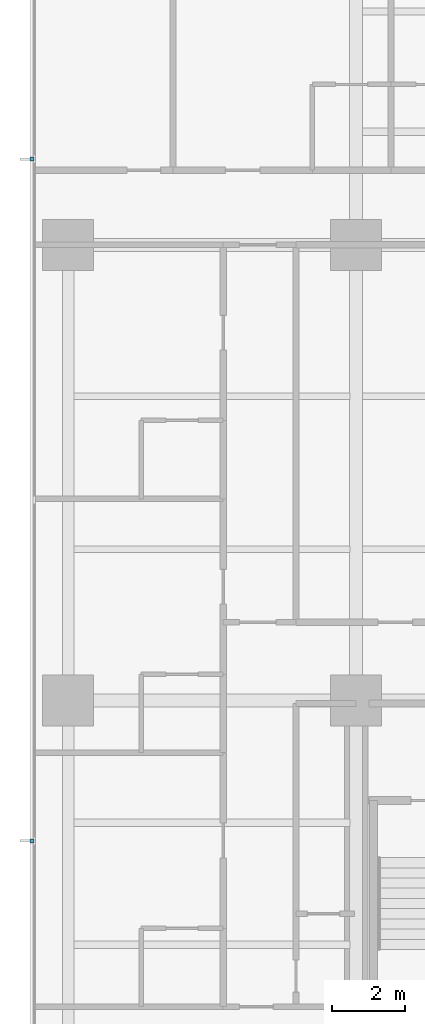
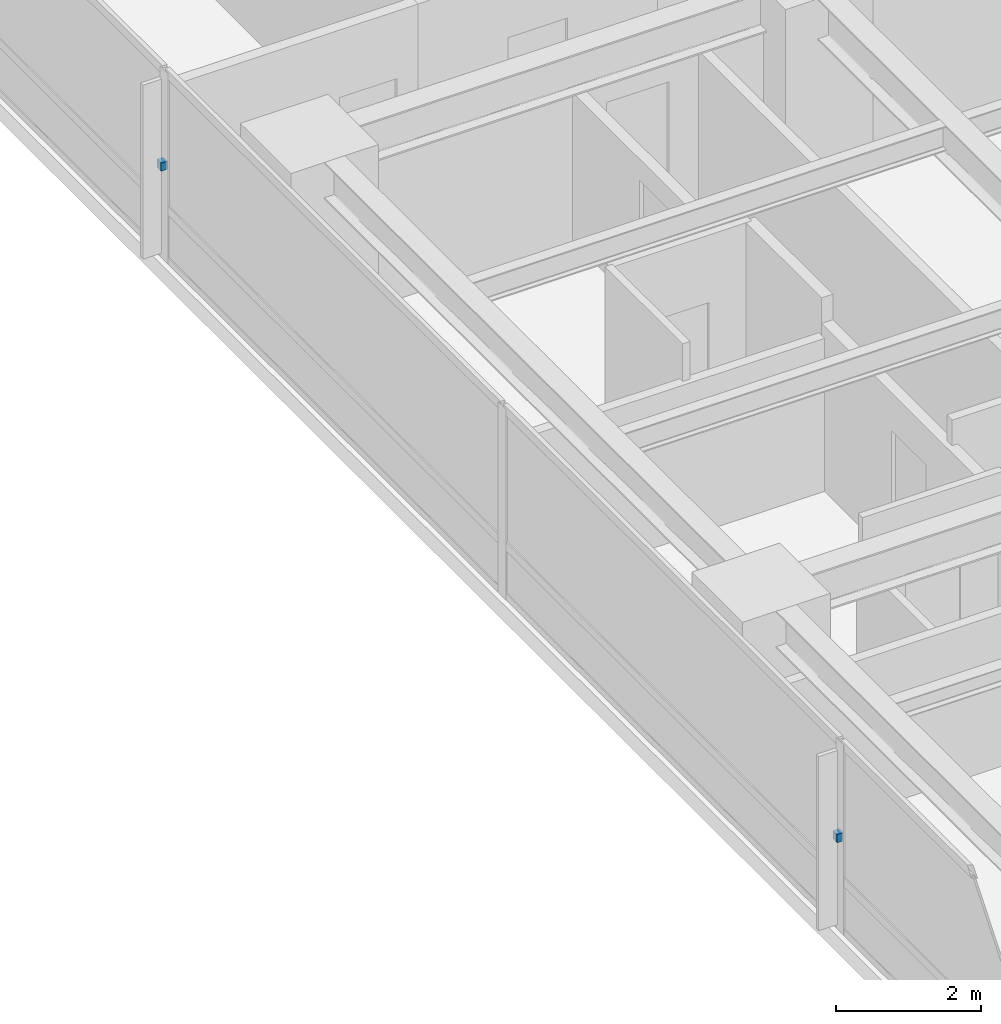
# One storey, part 12 of 17: 2 discrete accessories.
"""IFC4 building model written with IfcOpenShell, lengths in metres."""

import ifcopenshell
import ifcopenshell.guid

model = None  # the IFC model being written
_history = None  # IfcOwnerHistory: only IFC2X3 demands one
_inside = {}  # id of a spatial element -> (the spatial element, [elements in it])
_under = {}  # id of a project, library or spatial element -> (it, [spatial elements below it])
_declared = {}  # id of a project -> (the project, [libraries it declares])
_typed = {}  # id of a type object -> (the type object, [elements of that type])
_made_of = {}  # id of a material, layer set ... -> (it, [elements and type objects made of it])


def new_model(schema):
    """Start an empty IFC model of exactly this schema.

    Asked for "IFC4X3", IfcOpenShell would pick the latest addendum, in which some entities
    have other attributes; the version numbers below select the first issue.
    IFC2X3 requires an IfcOwnerHistory on every rooted entity: one is made here for all.
    """
    global model, _history
    if schema == "IFC4X3":
        model = ifcopenshell.file(schema_version=(4, 3, 0, 0))
    else:
        model = ifcopenshell.file(schema=schema)
    _inside.clear()
    _under.clear()
    _declared.clear()
    _typed.clear()
    _made_of.clear()
    _history = None
    if model.schema == "IFC2X3":
        org = make("IfcOrganization", Name="unknown")
        user = make(
            "IfcPersonAndOrganization",
            ThePerson=make("IfcPerson", FamilyName="unknown"),
            TheOrganization=org,
        )
        app = make(
            "IfcApplication",
            ApplicationDeveloper=org,
            Version="unknown",
            ApplicationFullName="unknown",
            ApplicationIdentifier="unknown",
        )
        _history = make(
            "IfcOwnerHistory",
            OwningUser=user,
            OwningApplication=app,
            ChangeAction="ADDED",
            CreationDate=0,
        )
    return model


def make(cls, **values):
    """One entity of the class cls with the attributes given. An attribute that is None is left unset."""
    return model.create_entity(
        cls, **{name: value for name, value in values.items() if value is not None}
    )


def rooted(cls, **values):
    """An entity with a GlobalId (a new one), such as an element, a storey or a relation."""
    return make(cls, GlobalId=ifcopenshell.guid.new(), OwnerHistory=_history, **values)


def si_unit(unit_type, name, prefix=None):
    """IfcSIUnit, for example si_unit("LENGTHUNIT", "METRE", prefix="MILLI")."""
    return make("IfcSIUnit", UnitType=unit_type, Prefix=prefix, Name=name)


def assignment(units):
    """IfcUnitAssignment: the units of a project."""
    return None if units is None else make("IfcUnitAssignment", Units=units)


def point(xyz):
    """IfcCartesianPoint."""
    return None if xyz is None else make("IfcCartesianPoint", Coordinates=xyz)


def direction(xyz):
    """IfcDirection."""
    return None if xyz is None else make("IfcDirection", DirectionRatios=xyz)


def frame(location, z_axis=None, x_axis=None):
    """IfcAxis2Placement3D, a coordinate frame: its origin and axes. An axis left out is left unset."""
    return make(
        "IfcAxis2Placement3D",
        Location=point(location),
        Axis=direction(z_axis),
        RefDirection=direction(x_axis),
    )


def origin():
    """The frame at (0, 0, 0) with its axes left unset."""
    return frame((0.0, 0.0, 0.0))


def place(relative_to, where):
    """IfcLocalPlacement: puts the frame where relative to a parent placement (None: the world)."""
    return make(
        "IfcLocalPlacement", PlacementRelTo=relative_to, RelativePlacement=where
    )


def context(
    kind, dimensions, precision=None, world=None, true_north=None, identifier=None
):
    """IfcGeometricRepresentationContext, for example the 3D "Model" context."""
    return make(
        "IfcGeometricRepresentationContext",
        ContextIdentifier=identifier,
        ContextType=kind,
        CoordinateSpaceDimension=dimensions,
        Precision=precision,
        WorldCoordinateSystem=world,
        TrueNorth=true_north,
    )


def subcontext(parent, identifier, kind, view, scale=None):
    """IfcGeometricRepresentationSubContext, for example "Body" below "Model"."""
    return make(
        "IfcGeometricRepresentationSubContext",
        ContextIdentifier=identifier,
        ContextType=kind,
        ParentContext=parent,
        TargetScale=scale,
        TargetView=view,
    )


def project(units=None, contexts=None):
    """IfcProject with its units and contexts."""
    return rooted(
        "IfcProject",
        Name="project",
        RepresentationContexts=contexts,
        UnitsInContext=assignment(units),
    )


def spatial(cls, under=None, at=None, **own):
    """A site, building, storey or space (cls), placed at a placement, below another one or the project."""
    s = rooted(cls, ObjectPlacement=at, **own)
    if under is not None:
        _under.setdefault(under.id(), (under, []))[1].append(s)
    return s


def polyline(points):
    """IfcPolyline through the points."""
    return make("IfcPolyline", Points=[point(p) for p in points])


def outline(outer, holes=None, kind="AREA"):
    """IfcArbitraryClosedProfileDef: a profile drawn as a closed curve; with holes, ...WithVoids."""
    if holes is None:
        return make("IfcArbitraryClosedProfileDef", ProfileType=kind, OuterCurve=outer)
    return make(
        "IfcArbitraryProfileDefWithVoids",
        ProfileType=kind,
        OuterCurve=outer,
        InnerCurves=holes,
    )


def extrude(swept, where, along, depth):
    """IfcExtrudedAreaSolid: the profile swept, set in the frame where, extruded along a direction by depth."""
    return make(
        "IfcExtrudedAreaSolid",
        SweptArea=swept,
        Position=where,
        ExtrudedDirection=direction(along),
        Depth=depth,
    )


def shape(context_of_items, identifier, shape_type, items):
    """IfcShapeRepresentation: the items that make up one representation, for example the "Body"."""
    return make(
        "IfcShapeRepresentation",
        ContextOfItems=context_of_items,
        RepresentationIdentifier=identifier,
        RepresentationType=shape_type,
        Items=items,
    )


def material(Name=None, Category=None):
    """IfcMaterial."""
    return make("IfcMaterial", Name=Name, Category=Category)


def made_of(thing, what):
    """Note that an element or type object is made of a material, layer set ...; save() writes the relation."""
    if what is not None:
        _made_of.setdefault(what.id(), (what, []))[1].append(thing)
    return thing


def type_object(cls, material=None, **own):
    """A type object (cls), such as IfcWallType, which elements share."""
    return made_of(rooted(cls, **own), material)


def element(
    cls,
    number,
    at=None,
    inside=None,
    cuts=None,
    type_object=None,
    material=None,
    context=None,
    identifier="Body",
    shape_type=None,
    held_by="IfcProductDefinitionShape",
    body=None,
    shapes=None,
    **own,
):
    """One element of the class cls, such as IfcWall. Its Tag is "e" and its number.

    at: its placement. inside: the storey or other place that contains it. cuts: it is an
    opening in that element (IfcRelVoidsElement). A single representation is given by context,
    identifier, shape_type and body (its items); several are given by shapes. held_by: the class
    of the entity that holds the representations. save() writes the other relations.
    """
    e = rooted(cls, Tag="e%d" % number, ObjectPlacement=at, **own)
    if body is not None:
        shapes = [shape(context, identifier, shape_type, body)]
    if shapes is not None:
        e.Representation = make(held_by, Representations=shapes)
    if inside is not None:
        _inside.setdefault(inside.id(), (inside, []))[1].append(e)
    if cuts is not None:
        rooted(
            "IfcRelVoidsElement", RelatingBuildingElement=cuts, RelatedOpeningElement=e
        )
    if type_object is not None:
        _typed.setdefault(type_object.id(), (type_object, []))[1].append(e)
    return made_of(e, material)


def aggregate(whole, parts):
    """IfcRelAggregates: a whole, such as a stair, and the parts it consists of."""
    return rooted("IfcRelAggregates", RelatingObject=whole, RelatedObjects=parts)


def save(model, path):
    """Write the relations noted so far, then the file.

    IfcRelAggregates (storeys below a building ...), IfcRelContainedInSpatialStructure (elements
    in a storey), IfcRelDefinesByType, IfcRelAssociatesMaterial and IfcRelDeclares: one each for
    every whole, place, type object, material and project.
    """
    for whole, parts in _under.values():
        aggregate(whole, parts)
    for where, things in _inside.values():
        rooted(
            "IfcRelContainedInSpatialStructure",
            RelatedElements=things,
            RelatingStructure=where,
        )
    for kind, things in _typed.values():
        rooted("IfcRelDefinesByType", RelatedObjects=things, RelatingType=kind)
    for what, things in _made_of.values():
        rooted("IfcRelAssociatesMaterial", RelatedObjects=things, RelatingMaterial=what)
    for by, libraries in _declared.values():
        rooted("IfcRelDeclares", RelatingContext=by, RelatedDefinitions=libraries)
    model.write(path)


model = new_model("IFC4")

# Units and contexts
model_context = context("Model", 3, precision=1e-05, world=origin(), true_north=direction((0.0, 1.0)))
body_context = subcontext(model_context, "Body", "Model", "MODEL_VIEW")
ifc_project = project(units=[si_unit("LENGTHUNIT", "METRE"), si_unit("AREAUNIT", "SQUARE_METRE"), si_unit("VOLUMEUNIT", "CUBIC_METRE"), si_unit("PLANEANGLEUNIT", "RADIAN"), si_unit("MASSUNIT", "GRAM", prefix="KILO")], contexts=[model_context])

# Site, building, storey
site_placement = place(None, origin())
site = spatial("IfcSite", under=ifc_project, at=site_placement, CompositionType="ELEMENT")
building_placement = place(site_placement, origin())
building = spatial("IfcBuilding", under=site, at=building_placement, Name="Qalmaran Belvedere Hotel", CompositionType="ELEMENT")
storey_placement = place(building_placement, frame((0.0, 0.0, 40.39990234375)))
storey = spatial("IfcBuildingStorey", under=building, at=storey_placement, Name="L09", CompositionType="ELEMENT", Elevation=40.39990234375)

# Discrete accessories
ifc_material = material(Name="Stainless Steel 1.4401", Category="steel")
discrete_accessory_type = type_object("IfcDiscreteAccessoryType", Name="BRK-FIN-SS316", PredefinedType="BRACKET", material=ifc_material)
discrete_accessory_1_placement = place(storey_placement, frame((0.0, 0.0, 1.56005859375)))
element("IfcDiscreteAccessory", 1, at=discrete_accessory_1_placement, inside=storey, type_object=discrete_accessory_type, Name="L09 Fin Bracket 1", PredefinedType="BRACKET", context=body_context, shape_type="SweptSolid", body=[
    extrude(outline(polyline([(11.455078125, 35.405029296875), (11.357421875, 35.405029296875), (11.357421875, 35.294921875), (11.455078125, 35.294921875), (11.455078125, 35.405029296875)])), origin(), (0.0, 0.0, 1.0), 0.14013671875),
])
discrete_accessory_2_placement = place(storey_placement, frame((0.0, 0.0, 1.56005859375)))
element("IfcDiscreteAccessory", 2, at=discrete_accessory_2_placement, inside=storey, type_object=discrete_accessory_type, Name="L09 Fin Bracket 3", PredefinedType="BRACKET", context=body_context, shape_type="SweptSolid", body=[
    extrude(outline(polyline([(11.455078125, 16.705078125), (11.357421875, 16.705078125), (11.357421875, 16.594970703125), (11.455078125, 16.594970703125), (11.455078125, 16.705078125)])), origin(), (0.0, 0.0, 1.0), 0.14013671875),
])

save(model, "model.ifc")
